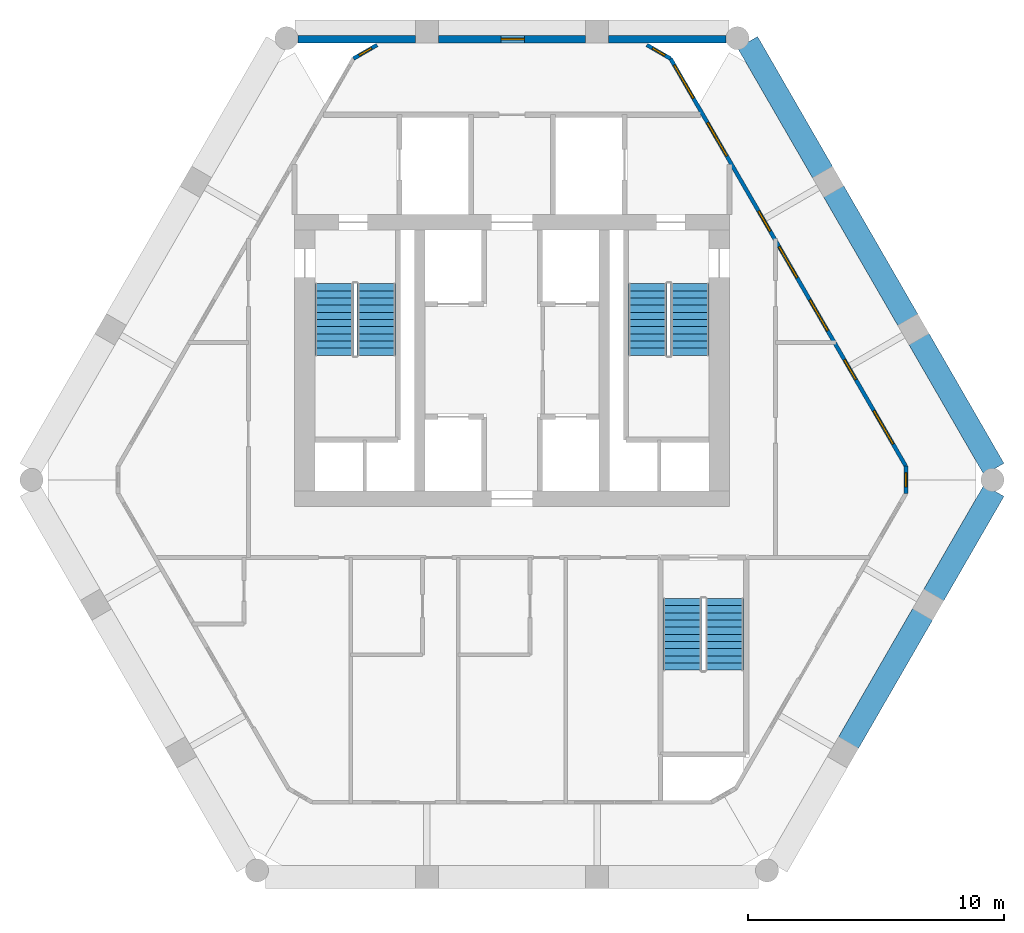
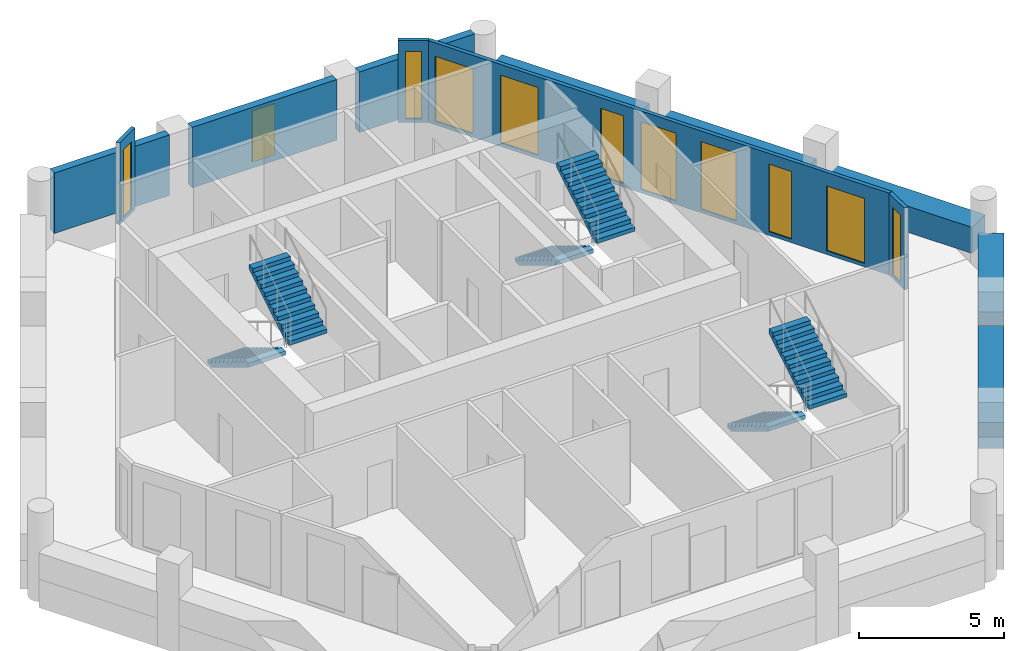
# One storey, part 5 of 6: 12 walls, 11 windows, 6 stair flights, 11 openings, 3 elements without a shape of their own.
"""IFC4 building model written with IfcOpenShell, lengths in metres."""

from ifc_helpers import new_model, si_unit, direction, frame, frame_2d, origin, place, context, subcontext, project, spatial, polyline, rectangle, outline, extrude, material, layer, layer_set, type_object, element, fill, aggregate, save


model = new_model("IFC4")

# Units and contexts
model_context = context("Model", 3, precision=1e-05, world=origin(), true_north=direction((0.0, 1.0)))
body_context = subcontext(model_context, "Body", "Model", "MODEL_VIEW")
ifc_project = project(units=[si_unit("LENGTHUNIT", "METRE"), si_unit("AREAUNIT", "SQUARE_METRE"), si_unit("VOLUMEUNIT", "CUBIC_METRE"), si_unit("PLANEANGLEUNIT", "RADIAN"), si_unit("MASSUNIT", "GRAM", prefix="KILO")], contexts=[model_context])

# Site, building, storey
site_placement = place(None, origin())
site = spatial("IfcSite", under=ifc_project, at=site_placement, CompositionType="ELEMENT")
building_placement = place(site_placement, origin())
building = spatial("IfcBuilding", under=site, at=building_placement, Name="Ostrander Bayou Hotel Tower", CompositionType="ELEMENT")
storey_placement = place(building_placement, frame((0.0, 0.0, 248.75)))
storey = spatial("IfcBuildingStorey", under=building, at=storey_placement, Name="L61", CompositionType="ELEMENT", Elevation=248.75)

# Wall, openings, windows
ifc_material_1 = material(Name="Aluminium framed insulated wall", Category="aluminium")
ifc_layer_1 = layer(ifc_material_1, 0.14990234375)
ifc_layer_set_1 = layer_set([ifc_layer_1], Name="GW1 glass-line wall 150 mm")
wall_type_1 = type_object("IfcWallType", Name="GW1 glass-line wall 150 mm", PredefinedType="SOLIDWALL", material=ifc_layer_set_1)
wall_1_placement = place(storey_placement, frame((15.387451171875, -0.133056640625, 0.0), z_axis=(0.0, 0.0, 1.0), x_axis=(-0.499998651697, 0.866026182226, 0.0)))
wall_1 = element("IfcWall", 1, at=wall_1_placement, inside=storey, type_object=wall_type_1, Name="GW1 L61 NE 1", PredefinedType="SOLIDWALL", context=body_context, shape_type="SweptSolid", body=[
    extrude(rectangle(XDim=18.38916015625, YDim=0.14990234375, at=frame_2d((9.194580078125, 0.0))), origin(), (0.0, 0.0, 1.0), 3.449951171875),
])
opening_1_placement = place(wall_1_placement, frame((3.908935546875, 0.0, 0.14990234375)))
opening_1 = element("IfcOpeningElement", 2, at=opening_1_placement, cuts=wall_1, Name="Opening W18", PredefinedType="OPENING", context=body_context, shape_type="SweptSolid", body=[
    extrude(rectangle(XDim=0.89990234375, YDim=2.85009765625, at=frame_2d((0.449951171875, 1.425048828125))), frame((0.0, 0.074951171875, 0.0), z_axis=(0.0, -1.0, 0.0), x_axis=(1.0, 0.0, 0.0)), (0.0, 0.0, 1.0), 0.14990234375),
])
opening_2_placement = place(wall_1_placement, frame((6.10888671875, 0.0, 0.14990234375)))
opening_2 = element("IfcOpeningElement", 3, at=opening_2_placement, cuts=wall_1, Name="Opening W14", PredefinedType="OPENING", context=body_context, shape_type="SweptSolid", body=[
    extrude(rectangle(XDim=1.39990234375, YDim=2.85009765625, at=frame_2d((0.699951171875, 1.425048828125))), frame((0.0, 0.074951171875, 0.0), z_axis=(0.0, -1.0, 0.0), x_axis=(1.0, 0.0, 0.0)), (0.0, 0.0, 1.0), 0.14990234375),
])
opening_3_placement = place(wall_1_placement, frame((10.60302734375, 0.0, 0.14990234375)))
opening_3 = element("IfcOpeningElement", 4, at=opening_3_placement, cuts=wall_1, Name="Opening W18", PredefinedType="OPENING", context=body_context, shape_type="SweptSolid", body=[
    extrude(rectangle(XDim=0.89990234375, YDim=2.85009765625, at=frame_2d((0.449951171875, 1.425048828125))), frame((0.0, 0.074951171875, 0.0), z_axis=(0.0, -1.0, 0.0), x_axis=(1.0, 0.0, 0.0)), (0.0, 0.0, 1.0), 0.14990234375),
])
opening_4_placement = place(wall_1_placement, frame((8.503173828125, 0.0, 0.14990234375)))
opening_4 = element("IfcOpeningElement", 5, at=opening_4_placement, cuts=wall_1, Name="Opening W14", PredefinedType="OPENING", context=body_context, shape_type="SweptSolid", body=[
    extrude(rectangle(XDim=1.39990234375, YDim=2.85009765625, at=frame_2d((0.699951171875, 1.425048828125))), frame((0.0, 0.074951171875, 0.0), z_axis=(0.0, -1.0, 0.0), x_axis=(1.0, 0.0, 0.0)), (0.0, 0.0, 1.0), 0.14990234375),
])
opening_5_placement = place(wall_1_placement, frame((13.99560546875, 0.0, 0.14990234375)))
opening_5 = element("IfcOpeningElement", 6, at=opening_5_placement, cuts=wall_1, Name="Opening W4", PredefinedType="OPENING", context=body_context, shape_type="SweptSolid", body=[
    extrude(rectangle(XDim=1.5, YDim=2.85009765625, at=frame_2d((0.75, 1.425048828125))), frame((0.0, 0.074951171875, 0.0), z_axis=(0.0, -1.0, 0.0), x_axis=(1.0, 0.0, 0.0)), (0.0, 0.0, 1.0), 0.14990234375),
])
opening_6_placement = place(wall_1_placement, frame((1.00439453125, 0.0, 0.14990234375)))
opening_6 = element("IfcOpeningElement", 7, at=opening_6_placement, cuts=wall_1, Name="Opening W4", PredefinedType="OPENING", context=body_context, shape_type="SweptSolid", body=[
    extrude(rectangle(XDim=1.5, YDim=2.72998046875, at=frame_2d((0.75, 1.364990234375))), frame((0.0, 0.074951171875, 0.0), z_axis=(0.0, -1.0, 0.0), x_axis=(1.0, 0.0, 0.0)), (0.0, 0.0, 1.0), 0.14990234375),
])
opening_7_placement = place(wall_1_placement, frame((16.59912109375, 0.0, 0.14990234375)))
opening_7 = element("IfcOpeningElement", 8, at=opening_7_placement, cuts=wall_1, Name="Opening W4", PredefinedType="OPENING", context=body_context, shape_type="SweptSolid", body=[
    extrude(rectangle(XDim=1.5, YDim=2.72998046875, at=frame_2d((0.75, 1.364990234375))), frame((0.0, 0.074951171875, 0.0), z_axis=(0.0, -1.0, 0.0), x_axis=(1.0, 0.0, 0.0)), (0.0, 0.0, 1.0), 0.14990234375),
])
ifc_material_2 = material(Name="Aluminium and clear glass", Category="aluminium")
window_type_1 = type_object("IfcWindowType", Name="W14 fixed window 1400 mm, bath bay, zone 4", PartitioningType="SINGLE_PANEL", PredefinedType="WINDOW", material=ifc_material_2)
window_1_placement = place(opening_2_placement, origin())
window_1 = element("IfcWindow", 9, at=window_1_placement, inside=storey, type_object=window_type_1, Name="W14 L61 NE 2", OverallHeight=2.85009765625, OverallWidth=1.39990234375, PartitioningType="SINGLE_PANEL", PredefinedType="WINDOW", context=body_context, shape_type="SweptSolid", body=[
    extrude(rectangle(XDim=1.39990234375, YDim=2.85009765625, at=frame_2d((0.699951171875, 1.425048828125))), frame((0.0, 0.030029296875, 0.0), z_axis=(0.0, -1.0, 0.0), x_axis=(1.0, 0.0, 0.0)), (0.0, 0.0, 1.0), 0.06005859375),
])
fill(opening_2, window_1)
window_2_placement = place(opening_4_placement, origin())
window_2 = element("IfcWindow", 10, at=window_2_placement, inside=storey, type_object=window_type_1, Name="W14 L61 NE 3", OverallHeight=2.85009765625, OverallWidth=1.39990234375, PartitioningType="SINGLE_PANEL", PredefinedType="WINDOW", context=body_context, shape_type="SweptSolid", body=[
    extrude(rectangle(XDim=1.39990234375, YDim=2.85009765625, at=frame_2d((0.699951171875, 1.425048828125))), frame((0.0, 0.030029296875, 0.0), z_axis=(0.0, -1.0, 0.0), x_axis=(1.0, 0.0, 0.0)), (0.0, 0.0, 1.0), 0.06005859375),
])
fill(opening_4, window_2)
ifc_material_3 = material(Name="Aluminium and clear glass", Category="aluminium")
window_type_2 = type_object("IfcWindowType", Name="W18 window 900 mm, zone 4", PartitioningType="SINGLE_PANEL", PredefinedType="WINDOW", material=ifc_material_3)
window_3_placement = place(opening_1_placement, origin())
window_3 = element("IfcWindow", 11, at=window_3_placement, inside=storey, type_object=window_type_2, Name="W18 L61 NE 2", OverallHeight=2.85009765625, OverallWidth=0.89990234375, PartitioningType="SINGLE_PANEL", PredefinedType="WINDOW", context=body_context, shape_type="SweptSolid", body=[
    extrude(rectangle(XDim=0.89990234375, YDim=2.85009765625, at=frame_2d((0.449951171875, 1.425048828125))), frame((0.0, 0.030029296875, 0.0), z_axis=(0.0, -1.0, 0.0), x_axis=(1.0, 0.0, 0.0)), (0.0, 0.0, 1.0), 0.06005859375),
])
fill(opening_1, window_3)
window_4_placement = place(opening_3_placement, origin())
window_4 = element("IfcWindow", 12, at=window_4_placement, inside=storey, type_object=window_type_2, Name="W18 L61 NE 3", OverallHeight=2.85009765625, OverallWidth=0.89990234375, PartitioningType="SINGLE_PANEL", PredefinedType="WINDOW", context=body_context, shape_type="SweptSolid", body=[
    extrude(rectangle(XDim=0.89990234375, YDim=2.85009765625, at=frame_2d((0.449951171875, 1.425048828125))), frame((0.0, 0.030029296875, 0.0), z_axis=(0.0, -1.0, 0.0), x_axis=(1.0, 0.0, 0.0)), (0.0, 0.0, 1.0), 0.06005859375),
])
fill(opening_3, window_4)
ifc_material_4 = material(Name="Aluminium and clear glass", Category="aluminium")
window_type_3 = type_object("IfcWindowType", Name="W4 fixed window 1500 mm, zone 4", PartitioningType="SINGLE_PANEL", PredefinedType="WINDOW", material=ifc_material_4)
window_5_placement = place(opening_5_placement, origin())
window_5 = element("IfcWindow", 13, at=window_5_placement, inside=storey, type_object=window_type_3, Name="W4 L61 NE 4", OverallHeight=2.85009765625, OverallWidth=1.5, PartitioningType="SINGLE_PANEL", PredefinedType="WINDOW", context=body_context, shape_type="SweptSolid", body=[
    extrude(rectangle(XDim=1.5, YDim=2.85009765625, at=frame_2d((0.75, 1.425048828125))), frame((0.0, 0.030029296875, 0.0), z_axis=(0.0, -1.0, 0.0), x_axis=(1.0, 0.0, 0.0)), (0.0, 0.0, 1.0), 0.06005859375),
])
fill(opening_5, window_5)
window_6_placement = place(opening_6_placement, origin())
window_6 = element("IfcWindow", 14, at=window_6_placement, inside=storey, type_object=window_type_3, Name="W4 L61 NE E11", OverallHeight=2.72998046875, OverallWidth=1.5, PartitioningType="SINGLE_PANEL", PredefinedType="WINDOW", context=body_context, shape_type="SweptSolid", body=[
    extrude(rectangle(XDim=1.5, YDim=2.72998046875, at=frame_2d((0.75, 1.364990234375))), frame((0.0, 0.030029296875, 0.0), z_axis=(0.0, -1.0, 0.0), x_axis=(1.0, 0.0, 0.0)), (0.0, 0.0, 1.0), 0.06005859375),
])
fill(opening_6, window_6)
window_7_placement = place(opening_7_placement, origin())
window_7 = element("IfcWindow", 15, at=window_7_placement, inside=storey, type_object=window_type_3, Name="W4 L61 NE E21", OverallHeight=2.72998046875, OverallWidth=1.5, PartitioningType="SINGLE_PANEL", PredefinedType="WINDOW", context=body_context, shape_type="SweptSolid", body=[
    extrude(rectangle(XDim=1.5, YDim=2.72998046875, at=frame_2d((0.75, 1.364990234375))), frame((0.0, 0.030029296875, 0.0), z_axis=(0.0, -1.0, 0.0), x_axis=(1.0, 0.0, 0.0)), (0.0, 0.0, 1.0), 0.06005859375),
])
fill(opening_7, window_7)

# Wall, opening, window
wall_2_placement = place(storey_placement, frame((-5.2705078125, 16.324951171875, 0.0), z_axis=(0.0, 0.0, 1.0), x_axis=(-0.866048165231, -0.499960573946, 0.0)))
wall_2 = element("IfcWall", 16, at=wall_2_placement, inside=storey, type_object=wall_type_1, Name="GW1 L61 corner 1", PredefinedType="SOLIDWALL", context=body_context, shape_type="SweptSolid", body=[
    extrude(rectangle(XDim=1.06494140625, YDim=0.14990234375, at=frame_2d((0.532470703125, 0.0))), origin(), (0.0, 0.0, 1.0), 3.449951171875),
])
opening_8_placement = place(wall_2_placement, frame((0.257568359375, 0.0, 0.14990234375)))
opening_8 = element("IfcOpeningElement", 17, at=opening_8_placement, cuts=wall_2, Name="Opening W19", PredefinedType="OPENING", context=body_context, shape_type="SweptSolid", body=[
    extrude(rectangle(XDim=0.550048828125, YDim=2.85009765625, at=frame_2d((0.27490234375, 1.425048828125))), frame((0.0, 0.074951171875, 0.0), z_axis=(0.0, -1.0, 0.0), x_axis=(1.0, 0.0, 0.0)), (0.0, 0.0, 1.0), 0.14990234375),
])
ifc_material_5 = material(Name="Aluminium and clear glass", Category="aluminium")
window_type_4 = type_object("IfcWindowType", Name="W19 corner window 550 mm", PartitioningType="SINGLE_PANEL", PredefinedType="WINDOW", material=ifc_material_5)
window_8_placement = place(opening_8_placement, origin())
window_8 = element("IfcWindow", 18, at=window_8_placement, inside=storey, type_object=window_type_4, Name="W19 L61 corner 1", OverallHeight=2.85009765625, OverallWidth=0.550048828125, PartitioningType="SINGLE_PANEL", PredefinedType="WINDOW", context=body_context, shape_type="SweptSolid", body=[
    extrude(rectangle(XDim=0.550048828125, YDim=2.85009765625, at=frame_2d((0.27490234375, 1.425048828125))), frame((0.0, 0.030029296875, 0.0), z_axis=(0.0, -1.0, 0.0), x_axis=(1.0, 0.0, 0.0)), (0.0, 0.0, 1.0), 0.06005859375),
])
fill(opening_8, window_8)

wall_3_placement = place(storey_placement, frame((15.387451171875, -1.197998046875, 0.0), z_axis=(0.0, 0.0, 1.0), x_axis=(0.0, 1.0, 0.0)))
wall_3 = element("IfcWall", 19, at=wall_3_placement, inside=storey, type_object=wall_type_1, Name="GW1 L61 corner 5", PredefinedType="SOLIDWALL", context=body_context, shape_type="SweptSolid", body=[
    extrude(rectangle(XDim=1.06494140625, YDim=0.14990234375, at=frame_2d((0.532470703125, 0.0))), origin(), (0.0, 0.0, 1.0), 3.449951171875),
])
opening_9_placement = place(wall_3_placement, frame((0.257568359375, 0.0, 0.14990234375)))
opening_9 = element("IfcOpeningElement", 20, at=opening_9_placement, cuts=wall_3, Name="Opening W19", PredefinedType="OPENING", context=body_context, shape_type="SweptSolid", body=[
    extrude(rectangle(XDim=0.550048828125, YDim=2.85009765625, at=frame_2d((0.27490234375, 1.425048828125))), frame((0.0, 0.074951171875, 0.0), z_axis=(0.0, -1.0, 0.0), x_axis=(1.0, 0.0, 0.0)), (0.0, 0.0, 1.0), 0.14990234375),
])
window_9_placement = place(opening_9_placement, origin())
window_9 = element("IfcWindow", 21, at=window_9_placement, inside=storey, type_object=window_type_4, Name="W19 L61 corner 5", OverallHeight=2.85009765625, OverallWidth=0.550048828125, PartitioningType="SINGLE_PANEL", PredefinedType="WINDOW", context=body_context, shape_type="SweptSolid", body=[
    extrude(rectangle(XDim=0.550048828125, YDim=2.85009765625, at=frame_2d((0.27490234375, 1.425048828125))), frame((0.0, 0.030029296875, 0.0), z_axis=(0.0, -1.0, 0.0), x_axis=(1.0, 0.0, 0.0)), (0.0, 0.0, 1.0), 0.06005859375),
])
fill(opening_9, window_9)

wall_4_placement = place(storey_placement, frame((6.19287109375, 15.79248046875, 0.0), z_axis=(0.0, 0.0, 1.0), x_axis=(-0.866048165231, 0.499960573946, 0.0)))
wall_4 = element("IfcWall", 22, at=wall_4_placement, inside=storey, type_object=wall_type_1, Name="GW1 L61 corner 6", PredefinedType="SOLIDWALL", context=body_context, shape_type="SweptSolid", body=[
    extrude(rectangle(XDim=1.06494140625, YDim=0.14990234375, at=frame_2d((0.532470703125, 0.0))), origin(), (0.0, 0.0, 1.0), 3.449951171875),
])
opening_10_placement = place(wall_4_placement, frame((0.257568359375, 0.0, 0.14990234375)))
opening_10 = element("IfcOpeningElement", 23, at=opening_10_placement, cuts=wall_4, Name="Opening W19", PredefinedType="OPENING", context=body_context, shape_type="SweptSolid", body=[
    extrude(rectangle(XDim=0.550048828125, YDim=2.85009765625, at=frame_2d((0.27490234375, 1.425048828125))), frame((0.0, 0.074951171875, 0.0), z_axis=(0.0, -1.0, 0.0), x_axis=(1.0, 0.0, 0.0)), (0.0, 0.0, 1.0), 0.14990234375),
])
window_10_placement = place(opening_10_placement, origin())
window_10 = element("IfcWindow", 24, at=window_10_placement, inside=storey, type_object=window_type_4, Name="W19 L61 corner 6", OverallHeight=2.85009765625, OverallWidth=0.550048828125, PartitioningType="SINGLE_PANEL", PredefinedType="WINDOW", context=body_context, shape_type="SweptSolid", body=[
    extrude(rectangle(XDim=0.550048828125, YDim=2.85009765625, at=frame_2d((0.27490234375, 1.425048828125))), frame((0.0, 0.030029296875, 0.0), z_axis=(0.0, -1.0, 0.0), x_axis=(1.0, 0.0, 0.0)), (0.0, 0.0, 1.0), 0.06005859375),
])
fill(opening_10, window_10)

# Wall
ifc_material_6 = material(Name="Reconstituted stone on masonry backing", Category="masonry")
ifc_layer_2 = layer(ifc_material_6, 0.300048828125)
ifc_layer_set_2 = layer_set([ifc_layer_2], Name="NW1 north stone wall 300 mm")
wall_type_2 = type_object("IfcWallType", Name="NW1 north stone wall 300 mm", PredefinedType="SOLIDWALL", material=ifc_layer_set_2)
wall_5_placement = place(storey_placement, frame((8.36279296875, 16.550048828125, 0.0), z_axis=(0.0, 0.0, 1.0), x_axis=(-1.0, 0.0, 0.0)))
element("IfcWall", 25, at=wall_5_placement, inside=storey, type_object=wall_type_2, Name="NW1 L61 N-1", PredefinedType="SOLIDWALL", context=body_context, shape_type="SweptSolid", body=[
    extrude(rectangle(XDim=4.58349609375, YDim=0.300048828125, at=frame_2d((2.291748046875, 0.0))), origin(), (0.0, 0.0, 1.0), 2.550048828125),
])

# Wall, opening, window
wall_6_placement = place(storey_placement, frame((2.87939453125, 16.550048828125, 0.0), z_axis=(0.0, 0.0, 1.0), x_axis=(-1.0, 0.0, 0.0)))
wall_6 = element("IfcWall", 26, at=wall_6_placement, inside=storey, type_object=wall_type_2, Name="NW1 L61 N-2", PredefinedType="SOLIDWALL", context=body_context, shape_type="SweptSolid", body=[
    extrude(rectangle(XDim=5.7587890625, YDim=0.300048828125, at=frame_2d((2.87939453125, 0.0))), origin(), (0.0, 0.0, 1.0), 2.550048828125),
])
opening_11_placement = place(wall_6_placement, frame((2.39990234375, 0.0, 0.14990234375)))
opening_11 = element("IfcOpeningElement", 27, at=opening_11_placement, cuts=wall_6, Name="Opening W18", PredefinedType="OPENING", context=body_context, shape_type="SweptSolid", body=[
    extrude(rectangle(XDim=0.89990234375, YDim=2.14990234375, at=frame_2d((0.449951171875, 1.074951171875))), frame((0.0, 0.14990234375, 0.0), z_axis=(0.0, -1.0, 0.0), x_axis=(1.0, 0.0, 0.0)), (0.0, 0.0, 1.0), 0.300048828125),
])
window_11_placement = place(opening_11_placement, origin())
window_11 = element("IfcWindow", 28, at=window_11_placement, inside=storey, type_object=window_type_2, Name="W18 L61 north N-2", OverallHeight=2.14990234375, OverallWidth=0.89990234375, PartitioningType="SINGLE_PANEL", PredefinedType="WINDOW", context=body_context, shape_type="SweptSolid", body=[
    extrude(rectangle(XDim=0.89990234375, YDim=2.14990234375, at=frame_2d((0.449951171875, 1.074951171875))), frame((0.0, 0.030029296875, 0.0), z_axis=(0.0, -1.0, 0.0), x_axis=(1.0, 0.0, 0.0)), (0.0, 0.0, 1.0), 0.06005859375),
])
fill(opening_11, window_11)

# Walls
wall_7_placement = place(storey_placement, frame((-3.779296875, 16.550048828125, 0.0), z_axis=(0.0, 0.0, 1.0), x_axis=(-1.0, 0.0, 0.0)))
element("IfcWall", 29, at=wall_7_placement, inside=storey, type_object=wall_type_2, Name="NW1 L61 N-3", PredefinedType="SOLIDWALL", context=body_context, shape_type="SweptSolid", body=[
    extrude(rectangle(XDim=4.58349609375, YDim=0.300048828125, at=frame_2d((2.291748046875, 0.0))), origin(), (0.0, 0.0, 1.0), 2.550048828125),
])
ifc_material_7 = material(Name="Concrete f'c 40 MPa", Category="concrete")
ifc_layer_3 = layer(ifc_material_7, 0.89990234375)
ifc_layer_set_3 = layer_set([ifc_layer_3], Name="PA1 stone-faced parapet 900 mm")
wall_type_3 = type_object("IfcWallType", Name="PA1 stone-faced parapet 900 mm", PredefinedType="PARAPET", material=ifc_layer_set_3)
wall_8_placement = place(storey_placement, frame((18.828857421875, -0.24365234375, 0.0), z_axis=(0.0, 0.0, 1.0), x_axis=(-0.499990994059, 0.866030603304, 0.0)))
element("IfcWall", 30, at=wall_8_placement, inside=storey, type_object=wall_type_3, Name="PA1 L61 NE-1", PredefinedType="PARAPET", context=body_context, shape_type="SweptSolid", body=[
    extrude(rectangle(XDim=5.8759765625, YDim=0.89990234375, at=frame_2d((2.93798828125, 0.0))), origin(), (0.0, 0.0, 1.0), 1.10009765625),
])
wall_9_placement = place(storey_placement, frame((15.470947265625, 5.572509765625, 0.0), z_axis=(0.0, 0.0, 1.0), x_axis=(-0.499997265274, 0.866026982673, 0.0)))
element("IfcWall", 31, at=wall_9_placement, inside=storey, type_object=wall_type_3, Name="PA1 L61 NE-2", PredefinedType="PARAPET", context=body_context, shape_type="SweptSolid", body=[
    extrude(rectangle(XDim=5.81884765625, YDim=0.89990234375, at=frame_2d((2.909423828125, 0.0))), origin(), (0.0, 0.0, 1.0), 1.10009765625),
])
wall_10_placement = place(storey_placement, frame((12.1416015625, 11.33935546875, 0.0), z_axis=(0.0, 0.0, 1.0), x_axis=(-0.500008985279, 0.866020216069, 0.0)))
element("IfcWall", 32, at=wall_10_placement, inside=storey, type_object=wall_type_3, Name="PA1 L61 NE-3", PredefinedType="PARAPET", context=body_context, shape_type="SweptSolid", body=[
    extrude(rectangle(XDim=5.8759765625, YDim=0.89990234375, at=frame_2d((2.93798828125, 0.0))), origin(), (0.0, 0.0, 1.0), 1.10009765625),
])
ifc_material_8 = material(Name="Limestone masonry", Category="masonry")
ifc_layer_4 = layer(ifc_material_8, 0.89990234375)
ifc_layer_set_4 = layer_set([ifc_layer_4], Name="PA2 limestone parapet 900 mm")
wall_type_4 = type_object("IfcWallType", Name="PA2 limestone parapet 900 mm", PredefinedType="PARAPET", material=ifc_layer_set_4)
wall_11_placement = place(storey_placement, frame((13.1376953125, -10.944580078125, 0.0), z_axis=(0.0, 0.0, 1.0), x_axis=(0.500015433515, 0.866016493057, 0.0)))
element("IfcWall", 33, at=wall_11_placement, inside=storey, type_object=wall_type_4, Name="PA2 L61 SE-2", PredefinedType="PARAPET", context=body_context, shape_type="SweptSolid", body=[
    extrude(rectangle(XDim=5.818603515625, YDim=0.89990234375, at=frame_2d((2.9091796875, 0.0))), origin(), (0.0, 0.0, 1.0), 1.10009765625),
])
wall_12_placement = place(storey_placement, frame((16.46728515625, -5.177978515625, 0.0), z_axis=(0.0, 0.0, 1.0), x_axis=(0.499980471007, 0.86603667856, 0.0)))
element("IfcWall", 34, at=wall_12_placement, inside=storey, type_object=wall_type_4, Name="PA2 L61 SE-3", PredefinedType="PARAPET", context=body_context, shape_type="SweptSolid", body=[
    extrude(rectangle(XDim=4.723388671875, YDim=0.89990234375, at=frame_2d((2.36181640625, 0.0))), origin(), (0.0, 0.0, 1.0), 1.10009765625),
])

# Stair, stair flights
ifc_material_9 = material(Name="Concrete f'c 45 MPa", Category="concrete")
stair_type = type_object("IfcStairType", Name="ST1 exit stair 1500 mm f'c 45 MPa", PredefinedType="HALF_TURN_STAIR", material=ifc_material_9)
stair_1_placement = place(storey_placement, origin())
stair_1 = element("IfcStair", 35, at=stair_1_placement, inside=storey, type_object=stair_type, Name="L61 exit stair A", PredefinedType="HALF_TURN_STAIR")
ifc_material_10 = material(Name="Concrete f'c 45 MPa", Category="concrete")
stair_flight_type = type_object("IfcStairFlightType", Name="SF1 stair flight 1500 mm f'c 45 MPa", PredefinedType="STRAIGHT", material=ifc_material_10)
stair_flight_1_placement = place(storey_placement, frame((-6.949951171875, 7.0, 0.0), z_axis=(0.0, 0.0, 1.0), x_axis=(0.0, -1.0, 0.0)))
stair_flight_1 = element("IfcStairFlight", 36, at=stair_flight_1_placement, type_object=stair_flight_type, Name="STA flight 1", NumberOfRisers=11, NumberOfTreads=10, PredefinedType="STRAIGHT", RiserHeight=0.170454545, TreadLength=0.28, context=body_context, shape_type="SweptSolid", body=[
    extrude(outline(polyline([(0.0, 0.0), (0.0, 0.17041015625), (0.280029296875, 0.17041015625), (0.280029296875, 0.3408203125), (0.56005859375, 0.3408203125), (0.56005859375, 0.511474609375), (0.840087890625, 0.511474609375), (0.840087890625, 0.681884765625), (1.1201171875, 0.681884765625), (1.1201171875, 0.852294921875), (1.39990234375, 0.852294921875), (1.39990234375, 1.022705078125), (1.679931640625, 1.022705078125), (1.679931640625, 1.193115234375), (1.9599609375, 1.193115234375), (1.9599609375, 1.363525390625), (2.239990234375, 1.363525390625), (2.239990234375, 1.5341796875), (2.52001953125, 1.5341796875), (2.52001953125, 1.70458984375), (2.800048828125, 1.70458984375), (2.800048828125, 1.875), (2.800048828125, 1.529052734375), (0.288330078125, 0.0), (0.0, 0.0)])), frame((0.0, 0.75, 0.0), z_axis=(0.0, -1.0, 0.0), x_axis=(1.0, 0.0, 0.0)), (0.0, 0.0, 1.0), 1.5),
])
stair_flight_2_placement = place(storey_placement, frame((-5.300048828125, 4.199951171875, 1.875), z_axis=(0.0, 0.0, 1.0), x_axis=(0.0, 1.0, 0.0)))
stair_flight_2 = element("IfcStairFlight", 37, at=stair_flight_2_placement, type_object=stair_flight_type, Name="STA flight 2", NumberOfRisers=11, NumberOfTreads=10, PredefinedType="STRAIGHT", RiserHeight=0.170454545, TreadLength=0.28, context=body_context, shape_type="SweptSolid", body=[
    extrude(outline(polyline([(0.0, 0.0), (0.0, 0.17041015625), (0.280029296875, 0.17041015625), (0.280029296875, 0.3408203125), (0.56005859375, 0.3408203125), (0.56005859375, 0.511474609375), (0.840087890625, 0.511474609375), (0.840087890625, 0.681884765625), (1.1201171875, 0.681884765625), (1.1201171875, 0.852294921875), (1.39990234375, 0.852294921875), (1.39990234375, 1.022705078125), (1.679931640625, 1.022705078125), (1.679931640625, 1.193115234375), (1.9599609375, 1.193115234375), (1.9599609375, 1.363525390625), (2.239990234375, 1.363525390625), (2.239990234375, 1.5341796875), (2.52001953125, 1.5341796875), (2.52001953125, 1.70458984375), (2.800048828125, 1.70458984375), (2.800048828125, 1.875), (2.800048828125, 1.529052734375), (0.288330078125, 0.0), (0.0, 0.0)])), frame((0.0, 0.75, 0.0), z_axis=(0.0, -1.0, 0.0), x_axis=(1.0, 0.0, 0.0)), (0.0, 0.0, 1.0), 1.5),
])
aggregate(stair_1, [stair_flight_1, stair_flight_2])

stair_2_placement = place(storey_placement, origin())
stair_2 = element("IfcStair", 38, at=stair_2_placement, inside=storey, type_object=stair_type, Name="L61 exit stair B", PredefinedType="HALF_TURN_STAIR")
stair_flight_3_placement = place(storey_placement, frame((5.300048828125, 7.0, 0.0), z_axis=(0.0, 0.0, 1.0), x_axis=(0.0, -1.0, 0.0)))
stair_flight_3 = element("IfcStairFlight", 39, at=stair_flight_3_placement, type_object=stair_flight_type, Name="STB flight 1", NumberOfRisers=11, NumberOfTreads=10, PredefinedType="STRAIGHT", RiserHeight=0.170454545, TreadLength=0.28, context=body_context, shape_type="SweptSolid", body=[
    extrude(outline(polyline([(0.0, 0.0), (0.0, 0.17041015625), (0.280029296875, 0.17041015625), (0.280029296875, 0.3408203125), (0.56005859375, 0.3408203125), (0.56005859375, 0.511474609375), (0.840087890625, 0.511474609375), (0.840087890625, 0.681884765625), (1.1201171875, 0.681884765625), (1.1201171875, 0.852294921875), (1.39990234375, 0.852294921875), (1.39990234375, 1.022705078125), (1.679931640625, 1.022705078125), (1.679931640625, 1.193115234375), (1.9599609375, 1.193115234375), (1.9599609375, 1.363525390625), (2.239990234375, 1.363525390625), (2.239990234375, 1.5341796875), (2.52001953125, 1.5341796875), (2.52001953125, 1.70458984375), (2.800048828125, 1.70458984375), (2.800048828125, 1.875), (2.800048828125, 1.529052734375), (0.288330078125, 0.0), (0.0, 0.0)])), frame((0.0, 0.75, 0.0), z_axis=(0.0, -1.0, 0.0), x_axis=(1.0, 0.0, 0.0)), (0.0, 0.0, 1.0), 1.5),
])
stair_flight_4_placement = place(storey_placement, frame((6.949951171875, 4.199951171875, 1.875), z_axis=(0.0, 0.0, 1.0), x_axis=(0.0, 1.0, 0.0)))
stair_flight_4 = element("IfcStairFlight", 40, at=stair_flight_4_placement, type_object=stair_flight_type, Name="STB flight 2", NumberOfRisers=11, NumberOfTreads=10, PredefinedType="STRAIGHT", RiserHeight=0.170454545, TreadLength=0.28, context=body_context, shape_type="SweptSolid", body=[
    extrude(outline(polyline([(0.0, 0.0), (0.0, 0.17041015625), (0.280029296875, 0.17041015625), (0.280029296875, 0.3408203125), (0.56005859375, 0.3408203125), (0.56005859375, 0.511474609375), (0.840087890625, 0.511474609375), (0.840087890625, 0.681884765625), (1.1201171875, 0.681884765625), (1.1201171875, 0.852294921875), (1.39990234375, 0.852294921875), (1.39990234375, 1.022705078125), (1.679931640625, 1.022705078125), (1.679931640625, 1.193115234375), (1.9599609375, 1.193115234375), (1.9599609375, 1.363525390625), (2.239990234375, 1.363525390625), (2.239990234375, 1.5341796875), (2.52001953125, 1.5341796875), (2.52001953125, 1.70458984375), (2.800048828125, 1.70458984375), (2.800048828125, 1.875), (2.800048828125, 1.529052734375), (0.288330078125, 0.0), (0.0, 0.0)])), frame((0.0, 0.75, 0.0), z_axis=(0.0, -1.0, 0.0), x_axis=(1.0, 0.0, 0.0)), (0.0, 0.0, 1.0), 1.5),
])
aggregate(stair_2, [stair_flight_3, stair_flight_4])

stair_3_placement = place(storey_placement, origin())
stair_3 = element("IfcStair", 41, at=stair_3_placement, inside=storey, type_object=stair_type, Name="L61 exit stair C", PredefinedType="HALF_TURN_STAIR")
stair_flight_5_placement = place(storey_placement, frame((6.64990234375, -5.300048828125, 0.0), z_axis=(0.0, 0.0, 1.0), x_axis=(0.0, -1.0, 0.0)))
stair_flight_5 = element("IfcStairFlight", 42, at=stair_flight_5_placement, type_object=stair_flight_type, Name="STC flight 1", NumberOfRisers=11, NumberOfTreads=10, PredefinedType="STRAIGHT", RiserHeight=0.170454545, TreadLength=0.28, context=body_context, shape_type="SweptSolid", body=[
    extrude(outline(polyline([(0.0, 0.0), (0.0, 0.17041015625), (0.280029296875, 0.17041015625), (0.280029296875, 0.3408203125), (0.56005859375, 0.3408203125), (0.56005859375, 0.511474609375), (0.840087890625, 0.511474609375), (0.840087890625, 0.681884765625), (1.1201171875, 0.681884765625), (1.1201171875, 0.852294921875), (1.39990234375, 0.852294921875), (1.39990234375, 1.022705078125), (1.679931640625, 1.022705078125), (1.679931640625, 1.193115234375), (1.9599609375, 1.193115234375), (1.9599609375, 1.363525390625), (2.239990234375, 1.363525390625), (2.239990234375, 1.5341796875), (2.52001953125, 1.5341796875), (2.52001953125, 1.70458984375), (2.800048828125, 1.70458984375), (2.800048828125, 1.875), (2.800048828125, 1.529052734375), (0.288330078125, 0.0), (0.0, 0.0)])), frame((0.0, 0.75, 0.0), z_axis=(0.0, -1.0, 0.0), x_axis=(1.0, 0.0, 0.0)), (0.0, 0.0, 1.0), 1.5),
])
stair_flight_6_placement = place(storey_placement, frame((8.300048828125, -8.10009765625, 1.875), z_axis=(0.0, 0.0, 1.0), x_axis=(0.0, 1.0, 0.0)))
stair_flight_6 = element("IfcStairFlight", 43, at=stair_flight_6_placement, type_object=stair_flight_type, Name="STC flight 2", NumberOfRisers=11, NumberOfTreads=10, PredefinedType="STRAIGHT", RiserHeight=0.170454545, TreadLength=0.28, context=body_context, shape_type="SweptSolid", body=[
    extrude(outline(polyline([(0.0, 0.0), (0.0, 0.17041015625), (0.280029296875, 0.17041015625), (0.280029296875, 0.3408203125), (0.56005859375, 0.3408203125), (0.56005859375, 0.511474609375), (0.840087890625, 0.511474609375), (0.840087890625, 0.681884765625), (1.1201171875, 0.681884765625), (1.1201171875, 0.852294921875), (1.39990234375, 0.852294921875), (1.39990234375, 1.022705078125), (1.679931640625, 1.022705078125), (1.679931640625, 1.193115234375), (1.9599609375, 1.193115234375), (1.9599609375, 1.363525390625), (2.239990234375, 1.363525390625), (2.239990234375, 1.5341796875), (2.52001953125, 1.5341796875), (2.52001953125, 1.70458984375), (2.800048828125, 1.70458984375), (2.800048828125, 1.875), (2.800048828125, 1.529052734375), (0.288330078125, 0.0), (0.0, 0.0)])), frame((0.0, 0.75, 0.0), z_axis=(0.0, -1.0, 0.0), x_axis=(1.0, 0.0, 0.0)), (0.0, 0.0, 1.0), 1.5),
])
aggregate(stair_3, [stair_flight_5, stair_flight_6])

save(model, "model.ifc")
